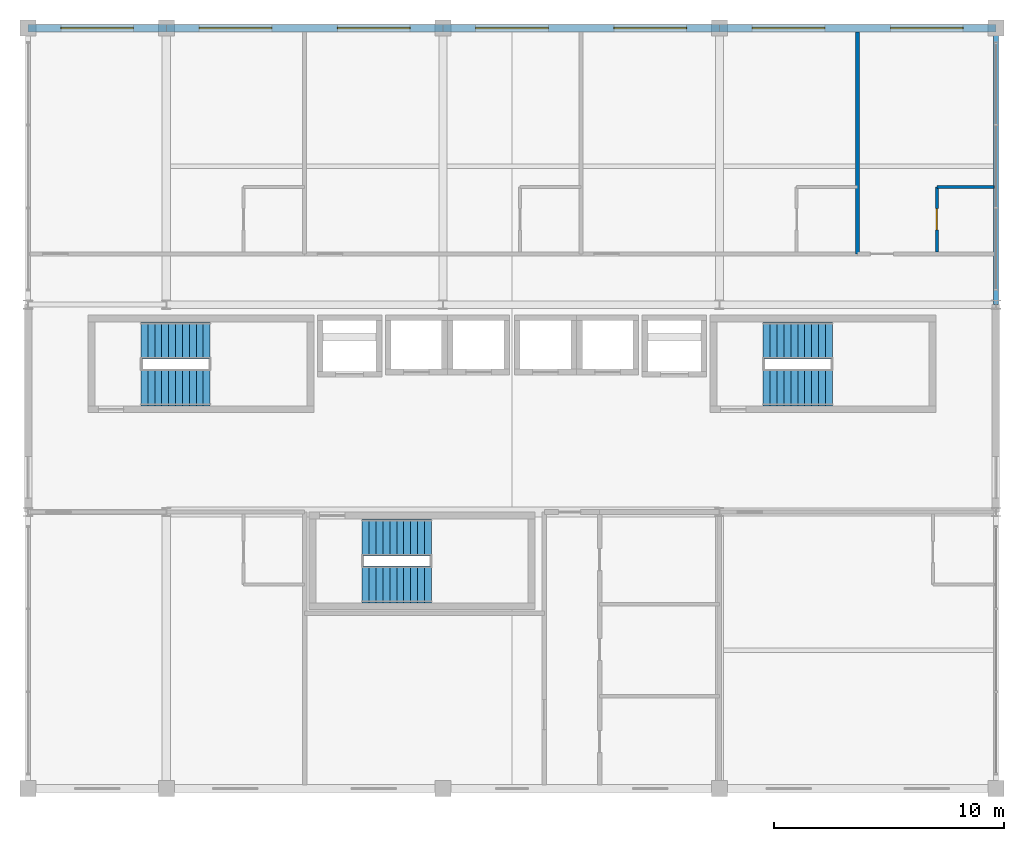
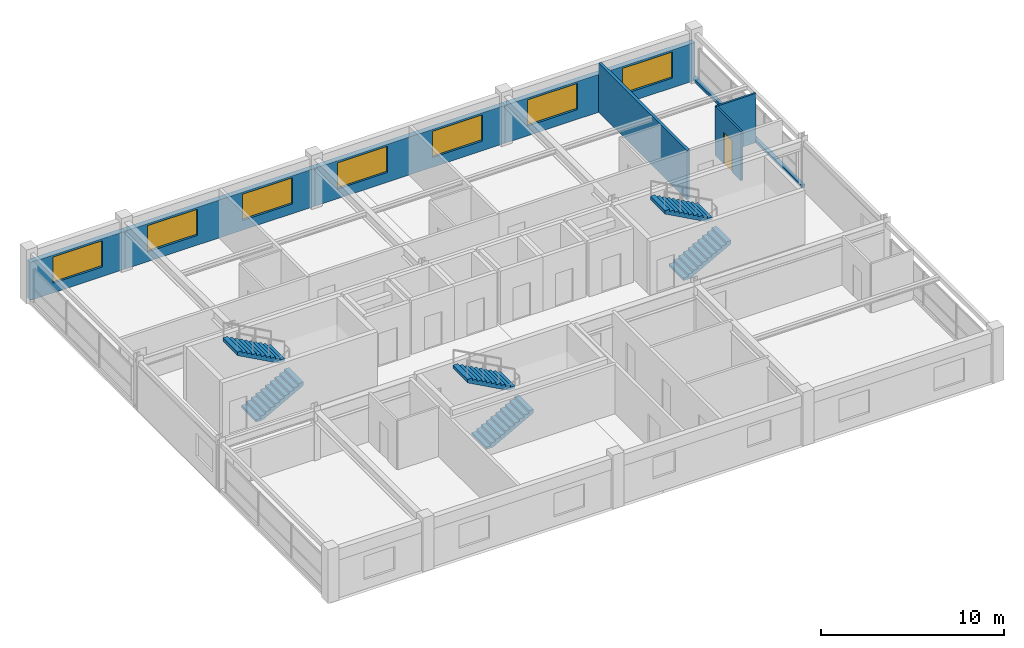
# One storey, part 21 of 22: 8 walls, 7 windows, 6 stair flights, 1 door, 8 openings, 3 elements without a shape of their own.
"""IFC4 building model written with IfcOpenShell, lengths in metres."""

from ifc_helpers import new_model, si_unit, direction, frame, frame_2d, origin, place, context, subcontext, project, spatial, polyline, rectangle, outline, extrude, material, layer, layer_set, type_object, element, fill, aggregate, save


model = new_model("IFC4")

# Units and contexts
model_context = context("Model", 3, precision=1e-05, world=origin(), true_north=direction((0.0, 1.0)))
body_context = subcontext(model_context, "Body", "Model", "MODEL_VIEW")
ifc_project = project(units=[si_unit("LENGTHUNIT", "METRE"), si_unit("AREAUNIT", "SQUARE_METRE"), si_unit("VOLUMEUNIT", "CUBIC_METRE"), si_unit("PLANEANGLEUNIT", "RADIAN"), si_unit("MASSUNIT", "GRAM", prefix="KILO")], contexts=[model_context])

# Site, building, storey
site_placement = place(None, origin())
site = spatial("IfcSite", under=ifc_project, at=site_placement, CompositionType="ELEMENT")
building_placement = place(site_placement, origin())
building = spatial("IfcBuilding", under=site, at=building_placement, Name="Kaldorvane Square Convention Centre", CompositionType="ELEMENT")
storey_placement = place(building_placement, frame((0.0, 0.0, 63.600006103515625)))
storey = spatial("IfcBuildingStorey", under=building, at=storey_placement, Name="L15", CompositionType="ELEMENT", Elevation=63.600006103515625)

# Wall, opening, door
ifc_material_1 = material(Name="Fire-Rated Gypsum Board on Acoustic Steel Studs", Category="steel")
ifc_layer_1 = layer(ifc_material_1, 0.125)
ifc_layer_set_1 = layer_set([ifc_layer_1], Name="Fire-Rated Gypsum Board on Acoustic Steel Studs")
wall_type_1 = type_object("IfcWallType", Name="WL-BATH-125", PredefinedType="PARTITIONING", material=ifc_layer_set_1)
wall_1_placement = place(storey_placement, frame((75.43499755859375, 107.28999328613281, 0.0), z_axis=(0.0, 0.0, 1.0), x_axis=(0.0, 1.0, 0.0)))
wall_1 = element("IfcWall", 1, at=wall_1_placement, inside=storey, type_object=wall_type_1, Name="En-Suite 1504 West Wall", PredefinedType="PARTITIONING", context=body_context, shape_type="SweptSolid", body=[
    extrude(rectangle(XDim=2.8100128173828125, YDim=0.125, at=frame_2d((1.404998779296875, 0.0))), origin(), (0.0, 0.0, 1.0), 3.2899932861328125),
])
opening_1_placement = place(wall_1_placement, frame((0.9499969482421875, 0.0, 0.0)))
opening_1 = element("IfcOpeningElement", 2, at=opening_1_placement, cuts=wall_1, Name="Opening ID-12", PredefinedType="OPENING", context=body_context, shape_type="SweptSolid", body=[
    extrude(rectangle(XDim=0.9199981689453125, YDim=2.100006103515625, at=frame_2d((0.459991455078125, 1.0500030517578125))), frame((0.0, 0.0774993896484375, 0.0), z_axis=(0.0, -1.0, 0.0), x_axis=(1.0, 0.0, 0.0)), (0.0, 0.0, 1.0), 0.154998779296875),
])
ifc_material_2 = material(Name="Architectural Solid-Core White Oak")
door_type = type_object("IfcDoorType", Name="DR-BATH-0920X2100", OperationType="SINGLE_SWING_RIGHT", PredefinedType="DOOR", material=ifc_material_2)
door_placement = place(opening_1_placement, origin())
door = element("IfcDoor", 3, at=door_placement, inside=storey, type_object=door_type, Name="En-Suite Bathroom 1504 Door", OperationType="SINGLE_SWING_RIGHT", OverallHeight=2.100006103515625, OverallWidth=0.9199981689453125, PredefinedType="DOOR", context=body_context, shape_type="SweptSolid", body=[
    extrude(rectangle(XDim=0.9199981689453125, YDim=2.100006103515625, at=frame_2d((0.459991455078125, 1.0500030517578125))), frame((0.0, 0.024993896484375, 0.0), z_axis=(0.0, -1.0, 0.0), x_axis=(1.0, 0.0, 0.0)), (0.0, 0.0, 1.0), 0.0500030517578125),
])
fill(opening_1, door)

# Wall
wall_2_placement = place(storey_placement, frame((75.43499755859375, 110.10000610351562, 0.0), z_axis=(0.0, 0.0, 1.0), x_axis=(1.0, 0.0, 0.0)))
element("IfcWall", 4, at=wall_2_placement, inside=storey, type_object=wall_type_1, Name="En-Suite 1504 North Wall", PredefinedType="PARTITIONING", context=body_context, shape_type="SweptSolid", body=[
    extrude(rectangle(XDim=2.4799957275390625, YDim=0.125, at=frame_2d((1.239990234375, 0.0))), origin(), (0.0, 0.0, 1.0), 3.2899932861328125),
])

# Wall, opening, window
ifc_material_3 = material(Name="Concrete f'c = 35 MPa (Normalweight)", Category="concrete")
ifc_layer_2 = layer(ifc_material_3, 0.32000732421875)
ifc_layer_set_2 = layer_set([ifc_layer_2], Name="Concrete f'c = 35 MPa (Normalweight)")
wall_type_2 = type_object("IfcWallType", Name="WL-EXT-320", PredefinedType="STANDARD", material=ifc_layer_set_2)
wall_3_placement = place(storey_placement, frame((42.0, 117.0, 0.0), z_axis=(0.0, 0.0, 1.0), x_axis=(-1.0, 0.0, 0.0)))
wall_3 = element("IfcWall", 5, at=wall_3_placement, inside=storey, type_object=wall_type_2, Name="Hotel N Brutalist Facade Wall (L15)", PredefinedType="STANDARD", context=body_context, shape_type="SweptSolid", body=[
    extrude(rectangle(XDim=6.0, YDim=0.32000732421875, at=frame_2d((3.0, 0.0))), origin(), (0.0, 0.0, 1.0), 2.5359954833984375),
])
opening_2_placement = place(wall_3_placement, frame((1.4250030517578125, 0.0, 0.649993896484375)))
opening_2 = element("IfcOpeningElement", 6, at=opening_2_placement, cuts=wall_3, Name="Opening W-10", PredefinedType="OPENING", context=body_context, shape_type="SweptSolid", body=[
    extrude(rectangle(XDim=3.149993896484375, YDim=1.75, at=frame_2d((1.5749969482421875, 0.875))), frame((0.0, 0.1750030517578125, 0.0), z_axis=(0.0, -1.0, 0.0), x_axis=(1.0, 0.0, 0.0)), (0.0, 0.0, 1.0), 0.350006103515625),
])
ifc_material_4 = material(Name="Anodized Aluminum and Low-E Insulated Glazing", Category="aluminium")
window_type = type_object("IfcWindowType", Name="WN-HTL-3150X1750", PartitioningType="TRIPLE_PANEL_VERTICAL", PredefinedType="WINDOW", material=ifc_material_4)
window_1_placement = place(opening_2_placement, origin())
window_1 = element("IfcWindow", 7, at=window_1_placement, inside=storey, type_object=window_type, Name="Hotel N Window (L15)", OverallHeight=1.75, OverallWidth=3.149993896484375, PartitioningType="TRIPLE_PANEL_VERTICAL", PredefinedType="WINDOW", context=body_context, shape_type="SweptSolid", body=[
    extrude(rectangle(XDim=3.149993896484375, YDim=1.75, at=frame_2d((1.5749969482421875, 0.875))), frame((0.0, 0.029998779296875, 0.0), z_axis=(0.0, -1.0, 0.0), x_axis=(1.0, 0.0, 0.0)), (0.0, 0.0, 1.0), 0.05999755859375),
])
fill(opening_2, window_1)

# Wall, openings, windows
wall_4_placement = place(storey_placement, frame((54.0, 117.0, 0.0), z_axis=(0.0, 0.0, 1.0), x_axis=(-1.0, 0.0, 0.0)))
wall_4 = element("IfcWall", 8, at=wall_4_placement, inside=storey, type_object=wall_type_2, Name="Hotel N Brutalist Facade Wall (L15)", PredefinedType="STANDARD", context=body_context, shape_type="SweptSolid", body=[
    extrude(rectangle(XDim=12.0, YDim=0.32000732421875, at=frame_2d((6.0, 0.0))), origin(), (0.0, 0.0, 1.0), 2.5359954833984375),
])
opening_3_placement = place(wall_4_placement, frame((1.4250030517578125, 0.0, 0.649993896484375)))
opening_3 = element("IfcOpeningElement", 9, at=opening_3_placement, cuts=wall_4, Name="Opening W-10", PredefinedType="OPENING", context=body_context, shape_type="SweptSolid", body=[
    extrude(rectangle(XDim=3.149993896484375, YDim=1.75, at=frame_2d((1.5749969482421875, 0.875))), frame((0.0, 0.1750030517578125, 0.0), z_axis=(0.0, -1.0, 0.0), x_axis=(1.0, 0.0, 0.0)), (0.0, 0.0, 1.0), 0.350006103515625),
])
opening_4_placement = place(wall_4_placement, frame((7.4250030517578125, 0.0, 0.649993896484375)))
opening_4 = element("IfcOpeningElement", 10, at=opening_4_placement, cuts=wall_4, Name="Opening W-10", PredefinedType="OPENING", context=body_context, shape_type="SweptSolid", body=[
    extrude(rectangle(XDim=3.149993896484375, YDim=1.75, at=frame_2d((1.5749969482421875, 0.875))), frame((0.0, 0.1750030517578125, 0.0), z_axis=(0.0, -1.0, 0.0), x_axis=(1.0, 0.0, 0.0)), (0.0, 0.0, 1.0), 0.350006103515625),
])
window_2_placement = place(opening_3_placement, origin())
window_2 = element("IfcWindow", 11, at=window_2_placement, inside=storey, type_object=window_type, Name="Hotel N Window (L15)", OverallHeight=1.75, OverallWidth=3.149993896484375, PartitioningType="TRIPLE_PANEL_VERTICAL", PredefinedType="WINDOW", context=body_context, shape_type="SweptSolid", body=[
    extrude(rectangle(XDim=3.149993896484375, YDim=1.75, at=frame_2d((1.5749969482421875, 0.875))), frame((0.0, 0.029998779296875, 0.0), z_axis=(0.0, -1.0, 0.0), x_axis=(1.0, 0.0, 0.0)), (0.0, 0.0, 1.0), 0.05999755859375),
])
fill(opening_3, window_2)
window_3_placement = place(opening_4_placement, origin())
window_3 = element("IfcWindow", 12, at=window_3_placement, inside=storey, type_object=window_type, Name="Hotel N Window (L15)", OverallHeight=1.75, OverallWidth=3.149993896484375, PartitioningType="TRIPLE_PANEL_VERTICAL", PredefinedType="WINDOW", context=body_context, shape_type="SweptSolid", body=[
    extrude(rectangle(XDim=3.149993896484375, YDim=1.75, at=frame_2d((1.5749969482421875, 0.875))), frame((0.0, 0.029998779296875, 0.0), z_axis=(0.0, -1.0, 0.0), x_axis=(1.0, 0.0, 0.0)), (0.0, 0.0, 1.0), 0.05999755859375),
])
fill(opening_4, window_3)

wall_5_placement = place(storey_placement, frame((66.0, 117.0, 0.0), z_axis=(0.0, 0.0, 1.0), x_axis=(-1.0, 0.0, 0.0)))
wall_5 = element("IfcWall", 13, at=wall_5_placement, inside=storey, type_object=wall_type_2, Name="Hotel N Brutalist Facade Wall (L15)", PredefinedType="STANDARD", context=body_context, shape_type="SweptSolid", body=[
    extrude(rectangle(XDim=12.0, YDim=0.32000732421875, at=frame_2d((6.0, 0.0))), origin(), (0.0, 0.0, 1.0), 2.5359954833984375),
])
opening_5_placement = place(wall_5_placement, frame((1.4250030517578125, 0.0, 0.649993896484375)))
opening_5 = element("IfcOpeningElement", 14, at=opening_5_placement, cuts=wall_5, Name="Opening W-10", PredefinedType="OPENING", context=body_context, shape_type="SweptSolid", body=[
    extrude(rectangle(XDim=3.149993896484375, YDim=1.75, at=frame_2d((1.5749969482421875, 0.875))), frame((0.0, 0.1750030517578125, 0.0), z_axis=(0.0, -1.0, 0.0), x_axis=(1.0, 0.0, 0.0)), (0.0, 0.0, 1.0), 0.350006103515625),
])
opening_6_placement = place(wall_5_placement, frame((7.4250030517578125, 0.0, 0.649993896484375)))
opening_6 = element("IfcOpeningElement", 15, at=opening_6_placement, cuts=wall_5, Name="Opening W-10", PredefinedType="OPENING", context=body_context, shape_type="SweptSolid", body=[
    extrude(rectangle(XDim=3.149993896484375, YDim=1.75, at=frame_2d((1.5749969482421875, 0.875))), frame((0.0, 0.1750030517578125, 0.0), z_axis=(0.0, -1.0, 0.0), x_axis=(1.0, 0.0, 0.0)), (0.0, 0.0, 1.0), 0.350006103515625),
])
window_4_placement = place(opening_5_placement, origin())
window_4 = element("IfcWindow", 16, at=window_4_placement, inside=storey, type_object=window_type, Name="Hotel N Window (L15)", OverallHeight=1.75, OverallWidth=3.149993896484375, PartitioningType="TRIPLE_PANEL_VERTICAL", PredefinedType="WINDOW", context=body_context, shape_type="SweptSolid", body=[
    extrude(rectangle(XDim=3.149993896484375, YDim=1.75, at=frame_2d((1.5749969482421875, 0.875))), frame((0.0, 0.029998779296875, 0.0), z_axis=(0.0, -1.0, 0.0), x_axis=(1.0, 0.0, 0.0)), (0.0, 0.0, 1.0), 0.05999755859375),
])
fill(opening_5, window_4)
window_5_placement = place(opening_6_placement, origin())
window_5 = element("IfcWindow", 17, at=window_5_placement, inside=storey, type_object=window_type, Name="Hotel N Window (L15)", OverallHeight=1.75, OverallWidth=3.149993896484375, PartitioningType="TRIPLE_PANEL_VERTICAL", PredefinedType="WINDOW", context=body_context, shape_type="SweptSolid", body=[
    extrude(rectangle(XDim=3.149993896484375, YDim=1.75, at=frame_2d((1.5749969482421875, 0.875))), frame((0.0, 0.029998779296875, 0.0), z_axis=(0.0, -1.0, 0.0), x_axis=(1.0, 0.0, 0.0)), (0.0, 0.0, 1.0), 0.05999755859375),
])
fill(opening_6, window_5)

wall_6_placement = place(storey_placement, frame((78.0, 117.0, 0.0), z_axis=(0.0, 0.0, 1.0), x_axis=(-1.0, 0.0, 0.0)))
wall_6 = element("IfcWall", 18, at=wall_6_placement, inside=storey, type_object=wall_type_2, Name="Hotel N Brutalist Facade Wall (L15)", PredefinedType="STANDARD", context=body_context, shape_type="SweptSolid", body=[
    extrude(rectangle(XDim=12.0, YDim=0.32000732421875, at=frame_2d((6.0, 0.0))), origin(), (0.0, 0.0, 1.0), 2.5359954833984375),
])
opening_7_placement = place(wall_6_placement, frame((1.4250030517578125, 0.0, 0.649993896484375)))
opening_7 = element("IfcOpeningElement", 19, at=opening_7_placement, cuts=wall_6, Name="Opening W-10", PredefinedType="OPENING", context=body_context, shape_type="SweptSolid", body=[
    extrude(rectangle(XDim=3.149993896484375, YDim=1.75, at=frame_2d((1.5749969482421875, 0.875))), frame((0.0, 0.1750030517578125, 0.0), z_axis=(0.0, -1.0, 0.0), x_axis=(1.0, 0.0, 0.0)), (0.0, 0.0, 1.0), 0.350006103515625),
])
opening_8_placement = place(wall_6_placement, frame((7.4250030517578125, 0.0, 0.649993896484375)))
opening_8 = element("IfcOpeningElement", 20, at=opening_8_placement, cuts=wall_6, Name="Opening W-10", PredefinedType="OPENING", context=body_context, shape_type="SweptSolid", body=[
    extrude(rectangle(XDim=3.149993896484375, YDim=1.75, at=frame_2d((1.5749969482421875, 0.875))), frame((0.0, 0.1750030517578125, 0.0), z_axis=(0.0, -1.0, 0.0), x_axis=(1.0, 0.0, 0.0)), (0.0, 0.0, 1.0), 0.350006103515625),
])
window_6_placement = place(opening_7_placement, origin())
window_6 = element("IfcWindow", 21, at=window_6_placement, inside=storey, type_object=window_type, Name="Hotel N Window (L15)", OverallHeight=1.75, OverallWidth=3.149993896484375, PartitioningType="TRIPLE_PANEL_VERTICAL", PredefinedType="WINDOW", context=body_context, shape_type="SweptSolid", body=[
    extrude(rectangle(XDim=3.149993896484375, YDim=1.75, at=frame_2d((1.5749969482421875, 0.875))), frame((0.0, 0.029998779296875, 0.0), z_axis=(0.0, -1.0, 0.0), x_axis=(1.0, 0.0, 0.0)), (0.0, 0.0, 1.0), 0.05999755859375),
])
fill(opening_7, window_6)
window_7_placement = place(opening_8_placement, origin())
window_7 = element("IfcWindow", 22, at=window_7_placement, inside=storey, type_object=window_type, Name="Hotel N Window (L15)", OverallHeight=1.75, OverallWidth=3.149993896484375, PartitioningType="TRIPLE_PANEL_VERTICAL", PredefinedType="WINDOW", context=body_context, shape_type="SweptSolid", body=[
    extrude(rectangle(XDim=3.149993896484375, YDim=1.75, at=frame_2d((1.5749969482421875, 0.875))), frame((0.0, 0.029998779296875, 0.0), z_axis=(0.0, -1.0, 0.0), x_axis=(1.0, 0.0, 0.0)), (0.0, 0.0, 1.0), 0.05999755859375),
])
fill(opening_8, window_7)

# Walls
ifc_layer_3 = layer(ifc_material_3, 0.220001220703125)
ifc_layer_set_3 = layer_set([ifc_layer_3], Name="Concrete f'c = 35 MPa (Normalweight)")
wall_type_3 = type_object("IfcWallType", Name="WL-PAR-220", PredefinedType="PARAPET", material=ifc_layer_set_3)
wall_7_placement = place(storey_placement, frame((78.0, 105.0, 0.0), z_axis=(0.0, 0.0, 1.0), x_axis=(0.0, 1.0, 0.0)))
element("IfcWall", 23, at=wall_7_placement, inside=storey, type_object=wall_type_3, Name="Hotel End Curtain-Wall Sill (L15)", PredefinedType="PARAPET", context=body_context, shape_type="SweptSolid", body=[
    extrude(rectangle(XDim=12.0, YDim=0.220001220703125, at=frame_2d((6.0, 0.0))), origin(), (0.0, 0.0, 1.0), 0.1999969482421875),
])
ifc_layer_4 = layer(ifc_material_1, 0.17999267578125)
ifc_layer_set_4 = layer_set([ifc_layer_4], Name="Fire-Rated Gypsum Board on Acoustic Steel Studs")
wall_type_4 = type_object("IfcWallType", Name="WL-UNIT-180", PredefinedType="PARTITIONING", material=ifc_layer_set_4)
wall_8_placement = place(storey_placement, frame((72.0, 107.19999694824219, 0.0), z_axis=(0.0, 0.0, 1.0), x_axis=(0.0, 1.0, 0.0)))
element("IfcWall", 24, at=wall_8_placement, inside=storey, type_object=wall_type_4, Name="Guestroom Demising Wall 1503", PredefinedType="PARTITIONING", context=body_context, shape_type="SweptSolid", body=[
    extrude(rectangle(XDim=9.639999389648438, YDim=0.17999267578125, at=frame_2d((4.82000732421875, 0.0))), origin(), (0.0, 0.0, 1.0), 3.2899932861328125),
])

# Stair, stair flights
ifc_material_5 = material(Name="Concrete f'c = 42 MPa (Normalweight)", Category="concrete")
stair_type = type_object("IfcStairType", Name="ST-DL-1600-3600", PredefinedType="HALF_TURN_STAIR", material=ifc_material_5)
stair_1_placement = place(storey_placement, origin())
stair_1 = element("IfcStair", 25, at=stair_1_placement, inside=storey, type_object=stair_type, Name="Tower Exit Stair T1 (L15)", PredefinedType="HALF_TURN_STAIR")
stair_flight_type = type_object("IfcStairFlightType", Name="SF-STR-1600-11R", PredefinedType="STRAIGHT", material=ifc_material_5)
stair_flight_1_placement = place(storey_placement, frame((40.899993896484375, 101.41000366210938, 0.0), z_axis=(0.0, 0.0, 1.0), x_axis=(1.0, 0.0, 0.0)))
stair_flight_1 = element("IfcStairFlight", 26, at=stair_flight_1_placement, type_object=stair_flight_type, Name="Tower Exit Stair T1 Flight 1 (L15)", NumberOfRisers=11, NumberOfTreads=10, PredefinedType="STRAIGHT", RiserHeight=0.163636364, TreadLength=0.3, context=body_context, shape_type="SweptSolid", body=[
    extrude(outline(polyline([(0.0, 0.0), (0.0, 0.16363525390625), (0.3000030517578125, 0.16363525390625), (0.3000030517578125, 0.3272705078125), (0.600006103515625, 0.3272705078125), (0.600006103515625, 0.49090576171875), (0.899993896484375, 0.49090576171875), (0.899993896484375, 0.654541015625), (1.1999969482421875, 0.654541015625), (1.1999969482421875, 0.81817626953125), (1.5, 0.81817626953125), (1.5, 0.9818115234375), (1.8000030517578125, 0.9818115234375), (1.8000030517578125, 1.1454620361328125), (2.100006103515625, 1.1454620361328125), (2.100006103515625, 1.3090972900390625), (2.399993896484375, 1.3090972900390625), (2.399993896484375, 1.4727325439453125), (2.6999969482421875, 1.4727325439453125), (2.6999969482421875, 1.6363677978515625), (3.0, 1.6363677978515625), (3.0, 1.8000030517578125), (3.0, 1.4085540771484375), (0.41766357421875, 0.0), (0.0, 0.0)])), frame((0.0, 0.8000030517578125, 0.0), z_axis=(0.0, -1.0, 0.0), x_axis=(1.0, 0.0, 0.0)), (0.0, 0.0, 1.0), 1.600006103515625),
])
stair_flight_2_placement = place(storey_placement, frame((43.899993896484375, 103.44999694824219, 1.79998779296875), z_axis=(0.0, 0.0, 1.0), x_axis=(-1.0, 0.0, 0.0)))
stair_flight_2 = element("IfcStairFlight", 27, at=stair_flight_2_placement, type_object=stair_flight_type, Name="Tower Exit Stair T1 Flight 2 (L15)", NumberOfRisers=11, NumberOfTreads=10, PredefinedType="STRAIGHT", RiserHeight=0.163636364, TreadLength=0.3, context=body_context, shape_type="SweptSolid", body=[
    extrude(outline(polyline([(0.0, 0.0), (0.0, 0.16363525390625), (0.3000030517578125, 0.16363525390625), (0.3000030517578125, 0.3272705078125), (0.600006103515625, 0.3272705078125), (0.600006103515625, 0.49090576171875), (0.899993896484375, 0.49090576171875), (0.899993896484375, 0.654541015625), (1.1999969482421875, 0.654541015625), (1.1999969482421875, 0.81817626953125), (1.5, 0.81817626953125), (1.5, 0.9818115234375), (1.8000030517578125, 0.9818115234375), (1.8000030517578125, 1.1454620361328125), (2.100006103515625, 1.1454620361328125), (2.100006103515625, 1.3090972900390625), (2.399993896484375, 1.3090972900390625), (2.399993896484375, 1.4727325439453125), (2.6999969482421875, 1.4727325439453125), (2.6999969482421875, 1.6363677978515625), (3.0, 1.6363677978515625), (3.0, 1.8000030517578125), (3.0, 1.4085540771484375), (0.41766357421875, 0.0), (0.0, 0.0)])), frame((0.0, 0.8000030517578125, 0.0), z_axis=(0.0, -1.0, 0.0), x_axis=(1.0, 0.0, 0.0)), (0.0, 0.0, 1.0), 1.600006103515625),
])
aggregate(stair_1, [stair_flight_1, stair_flight_2])

stair_2_placement = place(storey_placement, origin())
stair_2 = element("IfcStair", 28, at=stair_2_placement, inside=storey, type_object=stair_type, Name="Tower Exit Stair T2 (L15)", PredefinedType="HALF_TURN_STAIR")
stair_flight_3_placement = place(storey_placement, frame((67.89999389648438, 101.41000366210938, 0.0), z_axis=(0.0, 0.0, 1.0), x_axis=(1.0, 0.0, 0.0)))
stair_flight_3 = element("IfcStairFlight", 29, at=stair_flight_3_placement, type_object=stair_flight_type, Name="Tower Exit Stair T2 Flight 1 (L15)", NumberOfRisers=11, NumberOfTreads=10, PredefinedType="STRAIGHT", RiserHeight=0.163636364, TreadLength=0.3, context=body_context, shape_type="SweptSolid", body=[
    extrude(outline(polyline([(0.0, 0.0), (0.0, 0.16363525390625), (0.3000030517578125, 0.16363525390625), (0.3000030517578125, 0.3272705078125), (0.600006103515625, 0.3272705078125), (0.600006103515625, 0.49090576171875), (0.899993896484375, 0.49090576171875), (0.899993896484375, 0.654541015625), (1.1999969482421875, 0.654541015625), (1.1999969482421875, 0.81817626953125), (1.5, 0.81817626953125), (1.5, 0.9818115234375), (1.8000030517578125, 0.9818115234375), (1.8000030517578125, 1.1454620361328125), (2.100006103515625, 1.1454620361328125), (2.100006103515625, 1.3090972900390625), (2.399993896484375, 1.3090972900390625), (2.399993896484375, 1.4727325439453125), (2.6999969482421875, 1.4727325439453125), (2.6999969482421875, 1.6363677978515625), (3.0, 1.6363677978515625), (3.0, 1.8000030517578125), (3.0, 1.4085540771484375), (0.41766357421875, 0.0), (0.0, 0.0)])), frame((0.0, 0.8000030517578125, 0.0), z_axis=(0.0, -1.0, 0.0), x_axis=(1.0, 0.0, 0.0)), (0.0, 0.0, 1.0), 1.600006103515625),
])
stair_flight_4_placement = place(storey_placement, frame((70.89999389648438, 103.44999694824219, 1.79998779296875), z_axis=(0.0, 0.0, 1.0), x_axis=(-1.0, 0.0, 0.0)))
stair_flight_4 = element("IfcStairFlight", 30, at=stair_flight_4_placement, type_object=stair_flight_type, Name="Tower Exit Stair T2 Flight 2 (L15)", NumberOfRisers=11, NumberOfTreads=10, PredefinedType="STRAIGHT", RiserHeight=0.163636364, TreadLength=0.3, context=body_context, shape_type="SweptSolid", body=[
    extrude(outline(polyline([(0.0, 0.0), (0.0, 0.16363525390625), (0.3000030517578125, 0.16363525390625), (0.3000030517578125, 0.3272705078125), (0.600006103515625, 0.3272705078125), (0.600006103515625, 0.49090576171875), (0.899993896484375, 0.49090576171875), (0.899993896484375, 0.654541015625), (1.1999969482421875, 0.654541015625), (1.1999969482421875, 0.81817626953125), (1.5, 0.81817626953125), (1.5, 0.9818115234375), (1.8000030517578125, 0.9818115234375), (1.8000030517578125, 1.1454620361328125), (2.100006103515625, 1.1454620361328125), (2.100006103515625, 1.3090972900390625), (2.399993896484375, 1.3090972900390625), (2.399993896484375, 1.4727325439453125), (2.6999969482421875, 1.4727325439453125), (2.6999969482421875, 1.6363677978515625), (3.0, 1.6363677978515625), (3.0, 1.8000030517578125), (3.0, 1.4085540771484375), (0.41766357421875, 0.0), (0.0, 0.0)])), frame((0.0, 0.8000030517578125, 0.0), z_axis=(0.0, -1.0, 0.0), x_axis=(1.0, 0.0, 0.0)), (0.0, 0.0, 1.0), 1.600006103515625),
])
aggregate(stair_2, [stair_flight_3, stair_flight_4])

stair_3_placement = place(storey_placement, origin())
stair_3 = element("IfcStair", 31, at=stair_3_placement, inside=storey, type_object=stair_type, Name="Tower Exit Stair T3 (L15)", PredefinedType="HALF_TURN_STAIR")
stair_flight_5_placement = place(storey_placement, frame((50.5, 92.86000061035156, 0.0), z_axis=(0.0, 0.0, 1.0), x_axis=(1.0, 0.0, 0.0)))
stair_flight_5 = element("IfcStairFlight", 32, at=stair_flight_5_placement, type_object=stair_flight_type, Name="Tower Exit Stair T3 Flight 1 (L15)", NumberOfRisers=11, NumberOfTreads=10, PredefinedType="STRAIGHT", RiserHeight=0.163636364, TreadLength=0.3, context=body_context, shape_type="SweptSolid", body=[
    extrude(outline(polyline([(0.0, 0.0), (0.0, 0.16363525390625), (0.3000030517578125, 0.16363525390625), (0.3000030517578125, 0.3272705078125), (0.600006103515625, 0.3272705078125), (0.600006103515625, 0.49090576171875), (0.899993896484375, 0.49090576171875), (0.899993896484375, 0.654541015625), (1.1999969482421875, 0.654541015625), (1.1999969482421875, 0.81817626953125), (1.5, 0.81817626953125), (1.5, 0.9818115234375), (1.8000030517578125, 0.9818115234375), (1.8000030517578125, 1.1454620361328125), (2.100006103515625, 1.1454620361328125), (2.100006103515625, 1.3090972900390625), (2.399993896484375, 1.3090972900390625), (2.399993896484375, 1.4727325439453125), (2.6999969482421875, 1.4727325439453125), (2.6999969482421875, 1.6363677978515625), (3.0, 1.6363677978515625), (3.0, 1.8000030517578125), (3.0, 1.4085540771484375), (0.41766357421875, 0.0), (0.0, 0.0)])), frame((0.0, 0.8000030517578125, 0.0), z_axis=(0.0, -1.0, 0.0), x_axis=(1.0, 0.0, 0.0)), (0.0, 0.0, 1.0), 1.600006103515625),
])
stair_flight_6_placement = place(storey_placement, frame((53.5, 94.89999389648438, 1.79998779296875), z_axis=(0.0, 0.0, 1.0), x_axis=(-1.0, 0.0, 0.0)))
stair_flight_6 = element("IfcStairFlight", 33, at=stair_flight_6_placement, type_object=stair_flight_type, Name="Tower Exit Stair T3 Flight 2 (L15)", NumberOfRisers=11, NumberOfTreads=10, PredefinedType="STRAIGHT", RiserHeight=0.163636364, TreadLength=0.3, context=body_context, shape_type="SweptSolid", body=[
    extrude(outline(polyline([(0.0, 0.0), (0.0, 0.16363525390625), (0.3000030517578125, 0.16363525390625), (0.3000030517578125, 0.3272705078125), (0.600006103515625, 0.3272705078125), (0.600006103515625, 0.49090576171875), (0.899993896484375, 0.49090576171875), (0.899993896484375, 0.654541015625), (1.1999969482421875, 0.654541015625), (1.1999969482421875, 0.81817626953125), (1.5, 0.81817626953125), (1.5, 0.9818115234375), (1.8000030517578125, 0.9818115234375), (1.8000030517578125, 1.1454620361328125), (2.100006103515625, 1.1454620361328125), (2.100006103515625, 1.3090972900390625), (2.399993896484375, 1.3090972900390625), (2.399993896484375, 1.4727325439453125), (2.6999969482421875, 1.4727325439453125), (2.6999969482421875, 1.6363677978515625), (3.0, 1.6363677978515625), (3.0, 1.8000030517578125), (3.0, 1.4085540771484375), (0.41766357421875, 0.0), (0.0, 0.0)])), frame((0.0, 0.8000030517578125, 0.0), z_axis=(0.0, -1.0, 0.0), x_axis=(1.0, 0.0, 0.0)), (0.0, 0.0, 1.0), 1.600006103515625),
])
aggregate(stair_3, [stair_flight_5, stair_flight_6])

save(model, "model.ifc")
